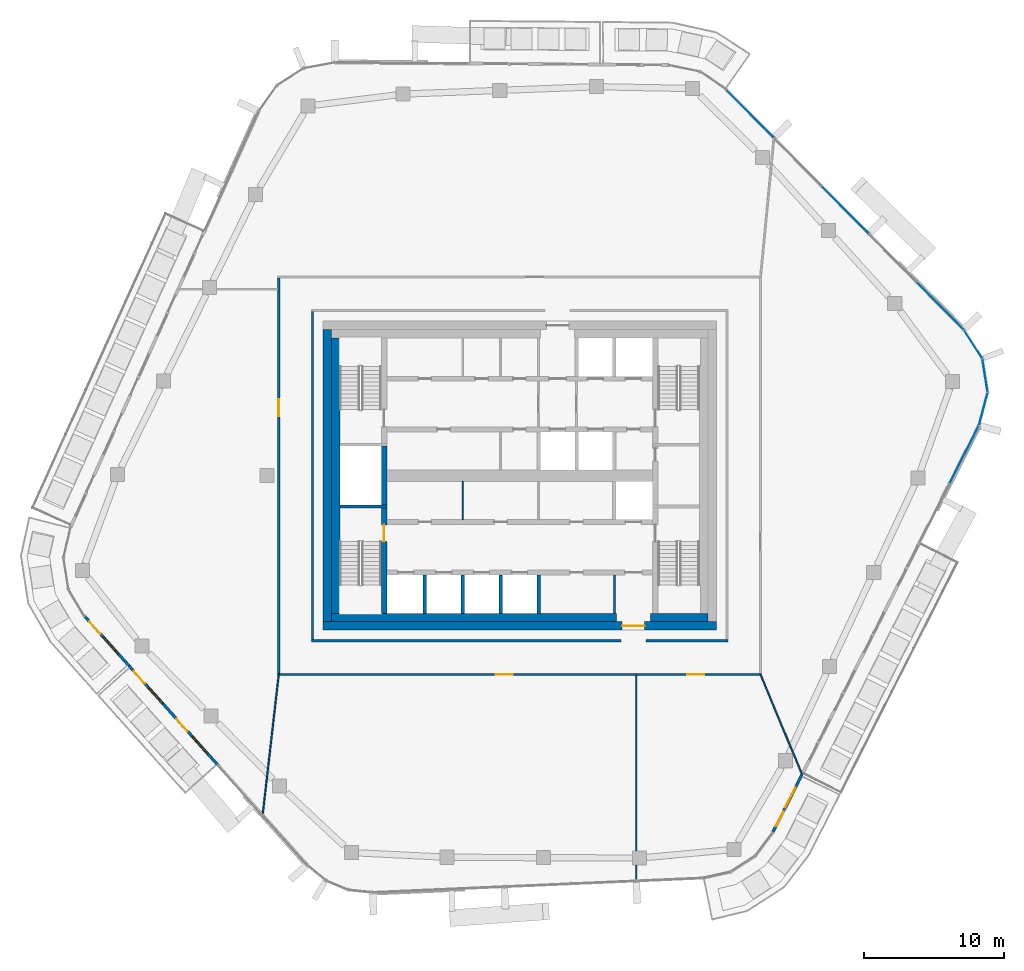
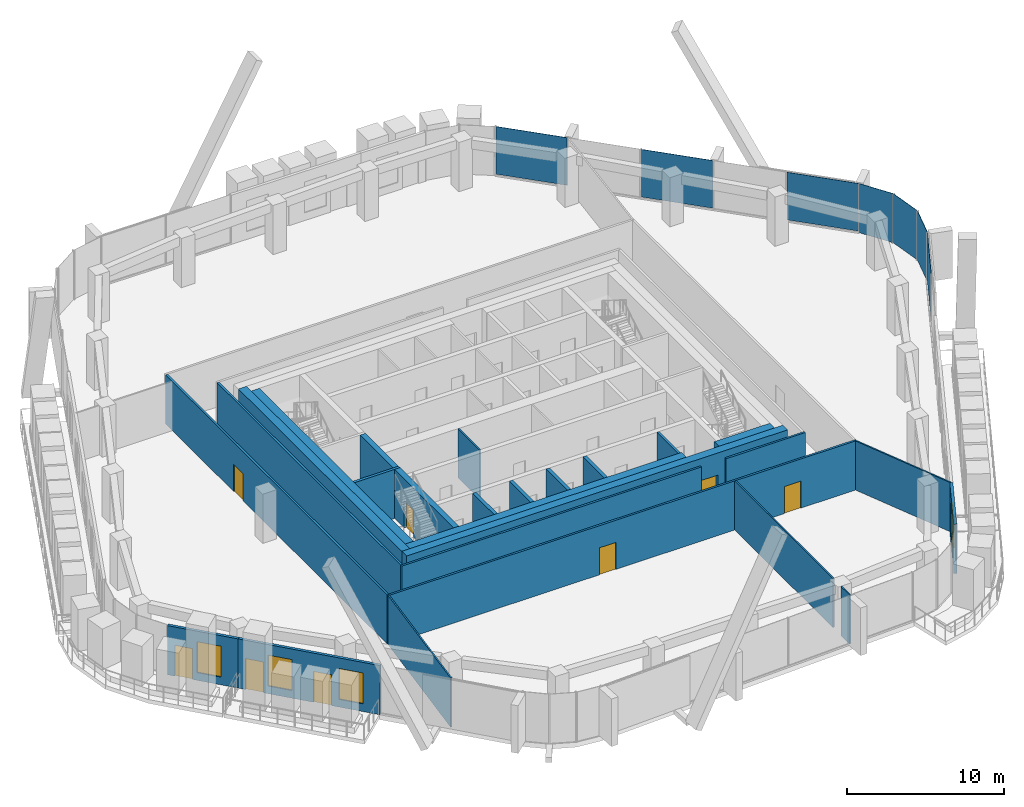
# One storey, part 12 of 23: 26 walls, 9 doors, 7 plates, 4 windows, 13 openings, 3 elements without a shape of their own.
"""IFC4 building model written with IfcOpenShell, lengths in metres."""

from ifc_helpers import new_model, si_unit, direction, frame, frame_2d, origin, origin_2d, place, context, subcontext, project, spatial, rectangle, extrude, material, layer, layer_set, type_object, element, fill, aggregate, save


model = new_model("IFC4")

# Units and contexts
model_context = context("Model", 3, precision=1e-05, world=origin(), true_north=direction((0.0, 1.0)))
body_context = subcontext(model_context, "Body", "Model", "MODEL_VIEW")
ifc_project = project(units=[si_unit("LENGTHUNIT", "METRE"), si_unit("AREAUNIT", "SQUARE_METRE"), si_unit("VOLUMEUNIT", "CUBIC_METRE"), si_unit("PLANEANGLEUNIT", "RADIAN"), si_unit("MASSUNIT", "GRAM", prefix="KILO")], contexts=[model_context])

# Site, building, storey
site_placement = place(None, origin())
site = spatial("IfcSite", under=ifc_project, at=site_placement, CompositionType="ELEMENT")
building_placement = place(site_placement, origin())
building = spatial("IfcBuilding", under=site, at=building_placement, Name="Dongbaek Canopy Tower", CompositionType="ELEMENT")
storey_placement = place(building_placement, frame((0.0, 0.0, 327.800048828125)))
storey = spatial("IfcBuildingStorey", under=building, at=storey_placement, Name="L70", CompositionType="ELEMENT", Elevation=327.800048828125)

# Curtain wall, plates
ifc_material_1 = material(Name="Aluminium 6063-T6 pale anodised", Category="aluminium")
ifc_layer_1 = layer(ifc_material_1, 0.199951171875)
ifc_layer_set_1 = layer_set([ifc_layer_1], Name="CW-1 unitised tower curtain wall")
curtain_wall_type = type_object("IfcCurtainWallType", Name="CW-1 unitised tower curtain wall", PredefinedType="NOTDEFINED", material=ifc_layer_set_1)
curtain_wall_1_placement = place(storey_placement, origin())
curtain_wall_1 = element("IfcCurtainWall", 1, at=curtain_wall_1_placement, inside=storey, type_object=curtain_wall_type, Name="CW-1 curtain wall K0.1", PredefinedType="NOTDEFINED")
ifc_material_2 = material(Name="Clear laminated glass", Category="glass")
ifc_layer_2 = layer(ifc_material_2, 0.028076171875)
ifc_layer_set_2 = layer_set([ifc_layer_2], Name="CW-1 glazed panel 28")
plate_type = type_object("IfcPlateType", Name="CW-1 glazed panel 28", PredefinedType="CURTAIN_PANEL", material=ifc_layer_set_2)
plate_1_placement = place(storey_placement, frame((33.002685546875, 4.7451171875, 0.0), z_axis=(0.0, 0.0, 1.0), x_axis=(0.257891541817, 0.966173872892, 0.0)))
plate_1 = element("IfcPlate", 2, at=plate_1_placement, type_object=plate_type, Name="CW-1 panel K0.1.1.1", PredefinedType="CURTAIN_PANEL", context=body_context, shape_type="SweptSolid", body=[
    extrude(rectangle(XDim=2.364013671875, YDim=0.028076171875, at=origin_2d()), origin(), (0.0, 0.0, 1.0), 3.820068359375),
])
plate_2_placement = place(storey_placement, frame((33.1298828125, 7.131591796875, 0.0), z_axis=(0.0, 0.0, 1.0), x_axis=(-0.154802153069, 0.98794549111, 0.0)))
plate_2 = element("IfcPlate", 3, at=plate_2_placement, type_object=plate_type, Name="CW-1 panel K0.1.2.1", PredefinedType="CURTAIN_PANEL", context=body_context, shape_type="SweptSolid", body=[
    extrude(rectangle(XDim=2.353271484375, YDim=0.028076171875, at=origin_2d()), origin(), (0.0, 0.0, 1.0), 3.820068359375),
])
plate_3_placement = place(storey_placement, frame((32.27880859375, 9.364990234375, 0.0), z_axis=(0.0, 0.0, 1.0), x_axis=(-0.54105717443, 0.840985810818, 0.0)))
plate_3 = element("IfcPlate", 4, at=plate_3_placement, type_object=plate_type, Name="CW-1 panel K0.1.3.1", PredefinedType="CURTAIN_PANEL", context=body_context, shape_type="SweptSolid", body=[
    extrude(rectangle(XDim=2.364013671875, YDim=0.028076171875, at=origin_2d()), origin(), (0.0, 0.0, 1.0), 3.820068359375),
])
aggregate(curtain_wall_1, [plate_1, plate_2, plate_3])

curtain_wall_2_placement = place(storey_placement, origin())
curtain_wall_2 = element("IfcCurtainWall", 5, at=curtain_wall_2_placement, inside=storey, type_object=curtain_wall_type, Name="CW-1 curtain wall F0.1", PredefinedType="NOTDEFINED")
plate_4_placement = place(storey_placement, frame((29.929931640625, 12.099853515625, 0.1201171875), z_axis=(0.0, 0.0, 1.0), x_axis=(-0.703156354287, 0.711035260325, 0.0)))
plate_4 = element("IfcPlate", 6, at=plate_4_placement, type_object=plate_type, Name="CW-1 panel F0.1.1.1", PredefinedType="CURTAIN_PANEL", context=body_context, shape_type="SweptSolid", body=[
    extrude(rectangle(XDim=4.713134765625, YDim=0.028076171875, at=origin_2d()), origin(), (0.0, 0.0, 1.0), 3.699951171875),
])
plate_5_placement = place(storey_placement, frame((23.172607421875, 18.93310546875, 0.1201171875), z_axis=(0.0, 0.0, 1.0), x_axis=(-0.703156354287, 0.711035260325, 0.0)))
plate_5 = element("IfcPlate", 7, at=plate_5_placement, type_object=plate_type, Name="CW-1 panel F0.1.3.1", PredefinedType="CURTAIN_PANEL", context=body_context, shape_type="SweptSolid", body=[
    extrude(rectangle(XDim=4.7236328125, YDim=0.028076171875, at=origin_2d()), origin(), (0.0, 0.0, 1.0), 3.699951171875),
])
plate_6_placement = place(storey_placement, frame((16.414794921875, 25.766357421875, 0.1201171875), z_axis=(0.0, 0.0, 1.0), x_axis=(-0.703156354287, 0.711035260325, 0.0)))
plate_6 = element("IfcPlate", 8, at=plate_6_placement, type_object=plate_type, Name="CW-1 panel F0.1.5.1", PredefinedType="CURTAIN_PANEL", context=body_context, shape_type="SweptSolid", body=[
    extrude(rectangle(XDim=4.7138671875, YDim=0.028076171875, at=origin_2d()), origin(), (0.0, 0.0, 1.0), 3.699951171875),
])
aggregate(curtain_wall_2, [plate_4, plate_5, plate_6])

# Curtain wall, plate
curtain_wall_3_placement = place(storey_placement, origin())
curtain_wall_3 = element("IfcCurtainWall", 9, at=curtain_wall_3_placement, inside=storey, type_object=curtain_wall_type, Name="CW-1 curtain wall F5.1", PredefinedType="NOTDEFINED")
plate_7_placement = place(storey_placement, frame((31.640380859375, 1.496337890625, 0.1201171875), z_axis=(0.0, 0.0, 1.0), x_axis=(0.451969985266, 0.892033145359, 0.0)))
plate_7 = element("IfcPlate", 10, at=plate_7_placement, type_object=plate_type, Name="CW-1 panel F5.1.2.1", PredefinedType="CURTAIN_PANEL", context=body_context, shape_type="SweptSolid", body=[
    extrude(rectangle(XDim=4.548095703125, YDim=0.028076171875, at=origin_2d()), origin(), (0.0, 0.0, 1.0), 3.699951171875),
])
aggregate(curtain_wall_3, [plate_7])

# Wall, opening, door
ifc_material_3 = material(Name="Concrete C80/95", Category="concrete")
ifc_layer_3 = layer(ifc_material_3, 0.60009765625)
ifc_layer_set_3 = layer_set([ifc_layer_3], Name="Core outer wall 600 Concrete C80/95")
wall_type_1 = type_object("IfcWallType", Name="Core outer wall 600 Concrete C80/95", PredefinedType="SHEAR", material=ifc_layer_set_3)
wall_1_placement = place(storey_placement, frame((14.0, -10.699951171875, 0.0), z_axis=(0.0, 0.0, 1.0), x_axis=(-1.0, 0.0, 0.0)))
wall_1 = element("IfcWall", 11, at=wall_1_placement, inside=storey, type_object=wall_type_1, Name="Core wall", PredefinedType="SHEAR", context=body_context, shape_type="SweptSolid", body=[
    extrude(rectangle(XDim=28.0, YDim=0.60009765625, at=frame_2d((14.0, 0.0))), origin(), (0.0, 0.0, 1.0), 3.820068359375),
])
opening_1_placement = place(wall_1_placement, frame((5.10009765625, 0.0, 0.0)))
opening_1 = element("IfcOpeningElement", 12, at=opening_1_placement, cuts=wall_1, Name="Opening L70-D019", PredefinedType="OPENING", context=body_context, shape_type="SweptSolid", body=[
    extrude(rectangle(XDim=1.60009765625, YDim=2.10009765625, at=frame_2d((0.800048828125, 1.050048828125))), frame((0.0, 0.31005859375, 0.0), z_axis=(0.0, -1.0, 0.0), x_axis=(1.0, 0.0, 0.0)), (0.0, 0.0, 1.0), 0.6201171875),
])
ifc_material_4 = material(Name="Steel", Category="steel")
door_type_1 = type_object("IfcDoorType", Name="Core exit door 1600 x 2100", OperationType="DOUBLE_DOOR_SINGLE_SWING", PredefinedType="DOOR", material=ifc_material_4)
door_1_placement = place(opening_1_placement, origin())
door_1 = element("IfcDoor", 13, at=door_1_placement, inside=storey, type_object=door_type_1, Name="Core exit door", OperationType="DOUBLE_DOOR_SINGLE_SWING", OverallHeight=2.10009765625, OverallWidth=1.60009765625, PredefinedType="DOOR", context=body_context, shape_type="SweptSolid", body=[
    extrude(rectangle(XDim=1.60009765625, YDim=2.10009765625, at=frame_2d((0.800048828125, 1.050048828125))), frame((0.0, 0.02490234375, 0.0), z_axis=(0.0, -1.0, 0.0), x_axis=(1.0, 0.0, 0.0)), (0.0, 0.0, 1.0), 0.050048828125),
])
fill(opening_1, door_1)

# Walls
wall_2_placement = place(storey_placement, frame((-13.699951171875, -10.39990234375, 0.0), z_axis=(0.0, 0.0, 1.0), x_axis=(0.0, 1.0, 0.0)))
element("IfcWall", 14, at=wall_2_placement, inside=storey, type_object=wall_type_1, Name="Core wall", PredefinedType="SHEAR", context=body_context, shape_type="SweptSolid", body=[
    extrude(rectangle(XDim=20.7998046875, YDim=0.60009765625, at=frame_2d((10.39990234375, 0.0))), origin(), (0.0, 0.0, 1.0), 3.820068359375),
])
ifc_material_5 = material(Name="Concrete C60/75", Category="concrete")
ifc_layer_4 = layer(ifc_material_5, 0.60009765625)
ifc_layer_set_4 = layer_set([ifc_layer_4], Name="Core wall lining 600 Concrete C60/75")
wall_type_2 = type_object("IfcWallType", Name="Core wall lining 600 Concrete C60/75", PredefinedType="SHEAR", material=ifc_layer_set_4)
wall_3_placement = place(storey_placement, frame((13.39990234375, -10.10009765625, 0.0), z_axis=(0.0, 0.0, 1.0), x_axis=(-1.0, 0.0, 0.0)))
element("IfcWall", 15, at=wall_3_placement, inside=storey, type_object=wall_type_2, Name="Core wall lining", PredefinedType="SHEAR", context=body_context, shape_type="SweptSolid", body=[
    extrude(rectangle(XDim=4.099853515625, YDim=0.60009765625, at=frame_2d((2.0498046875, 0.0))), origin(), (0.0, 0.0, 1.0), 3.820068359375),
])
wall_4_placement = place(storey_placement, frame((6.89990234375, -10.10009765625, 0.0), z_axis=(0.0, 0.0, 1.0), x_axis=(-1.0, 0.0, 0.0)))
element("IfcWall", 16, at=wall_4_placement, inside=storey, type_object=wall_type_2, Name="Core wall lining", PredefinedType="SHEAR", context=body_context, shape_type="SweptSolid", body=[
    extrude(rectangle(XDim=20.2998046875, YDim=0.60009765625, at=frame_2d((10.14990234375, 0.0))), origin(), (0.0, 0.0, 1.0), 3.820068359375),
])
wall_5_placement = place(storey_placement, frame((-13.10009765625, -9.800048828125, 0.0), z_axis=(0.0, 0.0, 1.0), x_axis=(0.0, 1.0, 0.0)))
element("IfcWall", 17, at=wall_5_placement, inside=storey, type_object=wall_type_2, Name="Core wall lining", PredefinedType="SHEAR", context=body_context, shape_type="SweptSolid", body=[
    extrude(rectangle(XDim=19.60009765625, YDim=0.60009765625, at=frame_2d((9.800048828125, 0.0))), origin(), (0.0, 0.0, 1.0), 3.820068359375),
])

# Wall, openings, doors
ifc_material_6 = material(Name="Gypsum board partition, steel stud, 2 x 15 mm fire board", Category="steel")
ifc_layer_5 = layer(ifc_material_6, 0.14990234375)
ifc_layer_set_5 = layer_set([ifc_layer_5], Name="Fire-rated partition 150 gypsum board")
wall_type_3 = type_object("IfcWallType", Name="Fire-rated partition 150 gypsum board", PredefinedType="PARTITIONING", material=ifc_layer_set_5)
wall_6_placement = place(storey_placement, frame((17.22509765625, -14.14990234375, 0.0), z_axis=(0.0, 0.0, 1.0), x_axis=(-1.0, 0.0, 0.0)))
wall_6 = element("IfcWall", 18, at=wall_6_placement, inside=storey, type_object=wall_type_3, Name="Corridor partition", PredefinedType="PARTITIONING", context=body_context, shape_type="SweptSolid", body=[
    extrude(rectangle(XDim=34.4501953125, YDim=0.14990234375, at=frame_2d((17.22509765625, 0.0))), origin(), (0.0, 0.0, 1.0), 3.820068359375),
])
opening_2_placement = place(wall_6_placement, frame((17.7109375, 0.0, 0.0)))
opening_2 = element("IfcOpeningElement", 19, at=opening_2_placement, cuts=wall_6, Name="Opening L70-D002", PredefinedType="OPENING", context=body_context, shape_type="SweptSolid", body=[
    extrude(rectangle(XDim=1.199951171875, YDim=2.10009765625, at=frame_2d((0.60009765625, 1.050048828125))), frame((0.0, 0.0849609375, 0.0), z_axis=(0.0, -1.0, 0.0), x_axis=(1.0, 0.0, 0.0)), (0.0, 0.0, 1.0), 0.169921875),
])
opening_3_placement = place(wall_6_placement, frame((4.094482421875, 0.0, 0.0)))
opening_3 = element("IfcOpeningElement", 20, at=opening_3_placement, cuts=wall_6, Name="Opening L70-D003", PredefinedType="OPENING", context=body_context, shape_type="SweptSolid", body=[
    extrude(rectangle(XDim=1.199951171875, YDim=2.10009765625, at=frame_2d((0.60009765625, 1.050048828125))), frame((0.0, 0.0849609375, 0.0), z_axis=(0.0, -1.0, 0.0), x_axis=(1.0, 0.0, 0.0)), (0.0, 0.0, 1.0), 0.169921875),
])
ifc_material_7 = material(Name="Timber veneered door leaf", Category="wood")
door_type_2 = type_object("IfcDoorType", Name="Room door 1200 x 2100", OperationType="SINGLE_SWING_LEFT", PredefinedType="DOOR", material=ifc_material_7)
door_2_placement = place(opening_2_placement, origin())
door_2 = element("IfcDoor", 21, at=door_2_placement, inside=storey, type_object=door_type_2, Name="Door L70-D002", OperationType="SINGLE_SWING_LEFT", OverallHeight=2.10009765625, OverallWidth=1.199951171875, PredefinedType="DOOR", context=body_context, shape_type="SweptSolid", body=[
    extrude(rectangle(XDim=1.199951171875, YDim=2.10009765625, at=frame_2d((0.60009765625, 1.050048828125))), frame((0.0, 0.02490234375, 0.0), z_axis=(0.0, -1.0, 0.0), x_axis=(1.0, 0.0, 0.0)), (0.0, 0.0, 1.0), 0.050048828125),
])
fill(opening_2, door_2)
door_3_placement = place(opening_3_placement, origin())
door_3 = element("IfcDoor", 22, at=door_3_placement, inside=storey, type_object=door_type_2, Name="Door L70-D003", OperationType="SINGLE_SWING_RIGHT", OverallHeight=2.10009765625, OverallWidth=1.199951171875, PredefinedType="DOOR", context=body_context, shape_type="SweptSolid", body=[
    extrude(rectangle(XDim=1.199951171875, YDim=2.10009765625, at=frame_2d((0.60009765625, 1.050048828125))), frame((0.0, 0.02490234375, 0.0), z_axis=(0.0, -1.0, 0.0), x_axis=(1.0, 0.0, 0.0)), (0.0, 0.0, 1.0), 0.050048828125),
])
fill(opening_3, door_3)

# Walls
wall_7_placement = place(storey_placement, frame((-14.824951171875, -11.75, 0.0), z_axis=(0.0, 0.0, 1.0), x_axis=(1.0, 0.0, 0.0)))
element("IfcWall", 23, at=wall_7_placement, inside=storey, type_object=wall_type_3, Name="Corridor partition", PredefinedType="PARTITIONING", context=body_context, shape_type="SweptSolid", body=[
    extrude(rectangle(XDim=22.02490234375, YDim=0.14990234375, at=frame_2d((11.012451171875, 0.0))), origin(), (0.0, 0.0, 1.0), 3.820068359375),
])
wall_8_placement = place(storey_placement, frame((9.0, -11.75, 0.0), z_axis=(0.0, 0.0, 1.0), x_axis=(1.0, 0.0, 0.0)))
element("IfcWall", 24, at=wall_8_placement, inside=storey, type_object=wall_type_3, Name="Corridor partition", PredefinedType="PARTITIONING", context=body_context, shape_type="SweptSolid", body=[
    extrude(rectangle(XDim=5.824951171875, YDim=0.14990234375, at=frame_2d((2.91259765625, 0.0))), origin(), (0.0, 0.0, 1.0), 3.820068359375),
])
wall_9_placement = place(storey_placement, frame((-14.75, -11.675048828125, 0.0), z_axis=(0.0, 0.0, 1.0), x_axis=(0.0, 1.0, 0.0)))
element("IfcWall", 25, at=wall_9_placement, inside=storey, type_object=wall_type_3, Name="Corridor partition", PredefinedType="PARTITIONING", context=body_context, shape_type="SweptSolid", body=[
    extrude(rectangle(XDim=23.35009765625, YDim=0.14990234375, at=frame_2d((11.675048828125, 0.0))), origin(), (0.0, 0.0, 1.0), 3.820068359375),
])

# Wall, opening, door
wall_10_placement = place(storey_placement, frame((-17.14990234375, -14.074951171875, 0.0), z_axis=(0.0, 0.0, 1.0), x_axis=(0.0, 1.0, 0.0)))
wall_10 = element("IfcWall", 26, at=wall_10_placement, inside=storey, type_object=wall_type_3, Name="Corridor partition", PredefinedType="PARTITIONING", context=body_context, shape_type="SweptSolid", body=[
    extrude(rectangle(XDim=28.14990234375, YDim=0.14990234375, at=frame_2d((14.074951171875, 0.0))), origin(), (0.0, 0.0, 1.0), 3.820068359375),
])
opening_4_placement = place(wall_10_placement, frame((18.2978515625, 0.0, 0.0)))
opening_4 = element("IfcOpeningElement", 27, at=opening_4_placement, cuts=wall_10, Name="Opening L70-D001", PredefinedType="OPENING", context=body_context, shape_type="SweptSolid", body=[
    extrude(rectangle(XDim=1.199951171875, YDim=2.10009765625, at=frame_2d((0.60009765625, 1.050048828125))), frame((0.0, 0.0849609375, 0.0), z_axis=(0.0, -1.0, 0.0), x_axis=(1.0, 0.0, 0.0)), (0.0, 0.0, 1.0), 0.169921875),
])
door_4_placement = place(opening_4_placement, origin())
door_4 = element("IfcDoor", 28, at=door_4_placement, inside=storey, type_object=door_type_2, Name="Door L70-D001", OperationType="SINGLE_SWING_RIGHT", OverallHeight=2.10009765625, OverallWidth=1.199951171875, PredefinedType="DOOR", context=body_context, shape_type="SweptSolid", body=[
    extrude(rectangle(XDim=1.199951171875, YDim=2.10009765625, at=frame_2d((0.60009765625, 1.050048828125))), frame((0.0, 0.02490234375, 0.0), z_axis=(0.0, -1.0, 0.0), x_axis=(1.0, 0.0, 0.0)), (0.0, 0.0, 1.0), 0.050048828125),
])
fill(opening_4, door_4)

# Walls
wall_11_placement = place(storey_placement, frame((6.75, -9.800048828125, 0.0), z_axis=(0.0, 0.0, 1.0), x_axis=(0.0, 1.0, 0.0)))
element("IfcWall", 29, at=wall_11_placement, inside=storey, type_object=wall_type_3, Name="Fire lobby partition", PredefinedType="PARTITIONING", context=body_context, shape_type="SweptSolid", body=[
    extrude(rectangle(XDim=2.72509765625, YDim=0.14990234375, at=frame_2d((1.362548828125, 0.0))), origin(), (0.0, 0.0, 1.0), 3.820068359375),
])
ifc_material_8 = material(Name="Concrete C40/50", Category="concrete")
ifc_layer_6 = layer(ifc_material_8, 0.25)
ifc_layer_set_6 = layer_set([ifc_layer_6], Name="Lift shaft wall 250 Concrete C40/50")
wall_type_4 = type_object("IfcWallType", Name="Lift shaft wall 250 Concrete C40/50", PredefinedType="SOLIDWALL", material=ifc_layer_set_6)
for number, where, z_axis, x_axis, name in (
    (30, (1.35009765625, -9.800048828125, 0.0), (0.0, 0.0, 1.0), (0.0, 1.0, 0.0), "Lift shaft wall"),
    (31, (-1.35009765625, -9.800048828125, 0.0), (0.0, 0.0, 1.0), (0.0, 1.0, 0.0), "Lift shaft wall"),
    (32, (-4.050048828125, -9.800048828125, 0.0), (0.0, 0.0, 1.0), (0.0, 1.0, 0.0), "Lift shaft wall"),
    (33, (-6.75, -9.800048828125, 0.0), (0.0, 0.0, 1.0), (0.0, 1.0, 0.0), "Lift shaft wall"),
):
    element("IfcWall", number, at=place(storey_placement, frame(where, z_axis=z_axis, x_axis=x_axis)), inside=storey, type_object=wall_type_4, Name=name, PredefinedType="SOLIDWALL", context=body_context, shape_type="SweptSolid", body=[
        extrude(rectangle(XDim=2.72509765625, YDim=0.25, at=frame_2d((1.362548828125, 0.0))), origin(), (0.0, 0.0, 1.0), 3.820068359375),
    ])
ifc_material_9 = material(Name="Gypsum board partition, steel stud, 2 x 12.5 mm board", Category="steel")
ifc_layer_7 = layer(ifc_material_9, 0.10009765625)
ifc_layer_set_7 = layer_set([ifc_layer_7], Name="Partition 100 gypsum board")
wall_type_5 = type_object("IfcWallType", Name="Partition 100 gypsum board", PredefinedType="PARTITIONING", material=ifc_layer_set_7)
wall_12_placement = place(storey_placement, frame((-18.295654296875, -24.140380859375, 0.0), z_axis=(0.0, 0.0, 1.0), x_axis=(0.11391359401, 0.993490660801, 0.0)))
element("IfcWall", 34, at=wall_12_placement, inside=storey, type_object=wall_type_5, Name="Partition", PredefinedType="PARTITIONING", context=body_context, shape_type="SweptSolid", body=[
    extrude(rectangle(XDim=10.055908203125, YDim=0.10009765625, at=frame_2d((5.02783203125, 0.0))), origin(), (0.0, 0.0, 1.0), 3.820068359375),
])
wall_13_placement = place(storey_placement, frame((8.302978515625, -28.82958984375, 0.0), z_axis=(0.0, 0.0, 1.0), x_axis=(0.0, 1.0, 0.0)))
element("IfcWall", 35, at=wall_13_placement, inside=storey, type_object=wall_type_5, Name="Partition", PredefinedType="PARTITIONING", context=body_context, shape_type="SweptSolid", body=[
    extrude(rectangle(XDim=1.1025390625, YDim=0.10009765625, at=frame_2d((0.55126953125, 0.0))), origin(), (0.0, 0.0, 1.0), 3.820068359375),
])
wall_14_placement = place(storey_placement, frame((8.302978515625, -26.72705078125, 0.0), z_axis=(0.0, 0.0, 1.0), x_axis=(0.0, 1.0, 0.0)))
element("IfcWall", 36, at=wall_14_placement, inside=storey, type_object=wall_type_5, Name="Partition", PredefinedType="PARTITIONING", context=body_context, shape_type="SweptSolid", body=[
    extrude(rectangle(XDim=12.501953125, YDim=0.10009765625, at=frame_2d((6.2509765625, 0.0))), origin(), (0.0, 0.0, 1.0), 3.820068359375),
])
wall_15_placement = place(storey_placement, frame((17.150390625, -14.14990234375, 0.0), z_axis=(0.0, 0.0, 1.0), x_axis=(0.382693080748, -0.923875535961, 0.0)))
element("IfcWall", 37, at=wall_15_placement, inside=storey, type_object=wall_type_5, Name="Partition", PredefinedType="PARTITIONING", context=body_context, shape_type="SweptSolid", body=[
    extrude(rectangle(XDim=7.686767578125, YDim=0.10009765625, at=frame_2d((3.84326171875, 0.0))), origin(), (0.0, 0.0, 1.0), 3.820068359375),
])
wall_16_placement = place(storey_placement, frame((-4.050048828125, -3.125, 0.0), z_axis=(0.0, 0.0, 1.0), x_axis=(0.0, 1.0, 0.0)))
element("IfcWall", 38, at=wall_16_placement, inside=storey, type_object=wall_type_5, Name="Core partition", PredefinedType="PARTITIONING", context=body_context, shape_type="SweptSolid", body=[
    extrude(rectangle(XDim=2.72509765625, YDim=0.10009765625, at=frame_2d((1.362548828125, 0.0))), origin(), (0.0, 0.0, 1.0), 3.820068359375),
])
ifc_material_10 = material(Name="Concrete C60/75", Category="concrete")
ifc_layer_8 = layer(ifc_material_10, 0.199951171875)
ifc_layer_set_8 = layer_set([ifc_layer_8], Name="Riser wall 200 Concrete C60/75")
wall_type_6 = type_object("IfcWallType", Name="Riser wall 200 Concrete C60/75", PredefinedType="SHEAR", material=ifc_layer_set_8)
wall_17_placement = place(storey_placement, frame((-9.449951171875, -2.199951171875, 0.0), z_axis=(0.0, 0.0, 1.0), x_axis=(-1.0, 0.0, 0.0)))
element("IfcWall", 39, at=wall_17_placement, inside=storey, type_object=wall_type_6, Name="Riser wall", PredefinedType="SHEAR", context=body_context, shape_type="SweptSolid", body=[
    extrude(rectangle(XDim=3.35009765625, YDim=0.199951171875, at=frame_2d((1.675048828125, 0.0))), origin(), (0.0, 0.0, 1.0), 3.820068359375),
])

# Wall, opening, door
ifc_material_11 = material(Name="Concrete C60/75", Category="concrete")
ifc_layer_9 = layer(ifc_material_11, 0.39990234375)
ifc_layer_set_9 = layer_set([ifc_layer_9], Name="Stair wall 400 Concrete C60/75")
wall_type_7 = type_object("IfcWallType", Name="Stair wall 400 Concrete C60/75", PredefinedType="SHEAR", material=ifc_layer_set_9)
wall_18_placement = place(storey_placement, frame((-9.64990234375, -9.800048828125, 0.0), z_axis=(0.0, 0.0, 1.0), x_axis=(0.0, 1.0, 0.0)))
wall_18 = element("IfcWall", 40, at=wall_18_placement, inside=storey, type_object=wall_type_7, Name="Stair wall", PredefinedType="SHEAR", context=body_context, shape_type="SweptSolid", body=[
    extrude(rectangle(XDim=7.5, YDim=0.39990234375, at=frame_2d((3.75, 0.0))), origin(), (0.0, 0.0, 1.0), 3.820068359375),
])
opening_5_placement = place(wall_18_placement, frame((5.10009765625, 0.0, 0.0)))
opening_5 = element("IfcOpeningElement", 41, at=opening_5_placement, cuts=wall_18, Name="Opening L70-D033", PredefinedType="OPENING", context=body_context, shape_type="SweptSolid", body=[
    extrude(rectangle(XDim=1.199951171875, YDim=2.10009765625, at=frame_2d((0.60009765625, 1.050048828125))), frame((0.0, 0.2099609375, 0.0), z_axis=(0.0, -1.0, 0.0), x_axis=(1.0, 0.0, 0.0)), (0.0, 0.0, 1.0), 0.419921875),
])
ifc_material_12 = material(Name="Steel", Category="steel")
door_type_3 = type_object("IfcDoorType", Name="Stair door 1200 x 2100", OperationType="SINGLE_SWING_LEFT", PredefinedType="DOOR", material=ifc_material_12)
door_5_placement = place(opening_5_placement, origin())
door_5 = element("IfcDoor", 42, at=door_5_placement, inside=storey, type_object=door_type_3, Name="Stair D door", OperationType="SINGLE_SWING_LEFT", OverallHeight=2.10009765625, OverallWidth=1.199951171875, PredefinedType="DOOR", context=body_context, shape_type="SweptSolid", body=[
    extrude(rectangle(XDim=1.199951171875, YDim=2.10009765625, at=frame_2d((0.60009765625, 1.050048828125))), frame((0.0, 0.02490234375, 0.0), z_axis=(0.0, -1.0, 0.0), x_axis=(1.0, 0.0, 0.0)), (0.0, 0.0, 1.0), 0.050048828125),
])
fill(opening_5, door_5)

# Wall
wall_19_placement = place(storey_placement, frame((-9.64990234375, -2.10009765625, 0.0), z_axis=(0.0, 0.0, 1.0), x_axis=(0.0, 1.0, 0.0)))
element("IfcWall", 43, at=wall_19_placement, inside=storey, type_object=wall_type_7, Name="Stair wall", PredefinedType="SHEAR", context=body_context, shape_type="SweptSolid", body=[
    extrude(rectangle(XDim=4.2001953125, YDim=0.39990234375, at=frame_2d((2.10009765625, 0.0))), origin(), (0.0, 0.0, 1.0), 3.820068359375),
])

# Wall, openings, doors, windows
ifc_material_13 = material(Name="Aluminium window wall", Category="aluminium")
ifc_layer_10 = layer(ifc_material_13, 0.199951171875)
ifc_layer_set_10 = layer_set([ifc_layer_10], Name="Window wall 200")
wall_type_8 = type_object("IfcWallType", Name="Window wall 200", PredefinedType="SOLIDWALL", material=ifc_layer_set_10)
wall_20_placement = place(storey_placement, frame((-27.807373046875, -13.5419921875, 0.0), z_axis=(0.0, 0.0, 1.0), x_axis=(0.666894702572, -0.745151968179, 0.0)))
wall_20 = element("IfcWall", 44, at=wall_20_placement, inside=storey, type_object=wall_type_8, Name="Window wall L70 3", PredefinedType="SOLIDWALL", context=body_context, shape_type="SweptSolid", body=[
    extrude(rectangle(XDim=9.505859375, YDim=0.199951171875, at=frame_2d((4.7529296875, 0.0))), origin(), (0.0, 0.0, 1.0), 3.820068359375),
])
opening_6_placement = place(wall_20_placement, frame((2.0, 0.0, 0.60009765625)))
opening_6 = element("IfcOpeningElement", 45, at=opening_6_placement, cuts=wall_20, Name="Opening W1", PredefinedType="OPENING", context=body_context, shape_type="SweptSolid", body=[
    extrude(rectangle(XDim=1.60009765625, YDim=2.39990234375, at=frame_2d((0.800048828125, 1.199951171875))), frame((0.0, 0.10986328125, 0.0), z_axis=(0.0, -1.0, 0.0), x_axis=(1.0, 0.0, 0.0)), (0.0, 0.0, 1.0), 0.219970703125),
])
opening_7_placement = place(wall_20_placement, frame((0.5, 0.0, 0.0)))
opening_7 = element("IfcOpeningElement", 46, at=opening_7_placement, cuts=wall_20, Name="Opening L70-B09", PredefinedType="OPENING", context=body_context, shape_type="SweptSolid", body=[
    extrude(rectangle(XDim=1.199951171875, YDim=2.39990234375, at=frame_2d((0.60009765625, 1.199951171875))), frame((0.0, 0.10986328125, 0.0), z_axis=(0.0, -1.0, 0.0), x_axis=(1.0, 0.0, 0.0)), (0.0, 0.0, 1.0), 0.219970703125),
])
opening_8_placement = place(wall_20_placement, frame((6.7529296875, 0.0, 0.60009765625)))
opening_8 = element("IfcOpeningElement", 47, at=opening_8_placement, cuts=wall_20, Name="Opening W1", PredefinedType="OPENING", context=body_context, shape_type="SweptSolid", body=[
    extrude(rectangle(XDim=1.60009765625, YDim=2.39990234375, at=frame_2d((0.800048828125, 1.199951171875))), frame((0.0, 0.10986328125, 0.0), z_axis=(0.0, -1.0, 0.0), x_axis=(1.0, 0.0, 0.0)), (0.0, 0.0, 1.0), 0.219970703125),
])
opening_9_placement = place(wall_20_placement, frame((5.052978515625, 0.0, 0.0)))
opening_9 = element("IfcOpeningElement", 48, at=opening_9_placement, cuts=wall_20, Name="Opening L70-B10", PredefinedType="OPENING", context=body_context, shape_type="SweptSolid", body=[
    extrude(rectangle(XDim=1.199951171875, YDim=2.39990234375, at=frame_2d((0.60009765625, 1.199951171875))), frame((0.0, 0.10986328125, 0.0), z_axis=(0.0, -1.0, 0.0), x_axis=(1.0, 0.0, 0.0)), (0.0, 0.0, 1.0), 0.219970703125),
])
ifc_material_14 = material(Name="Clear glazing in aluminium frame", Category="aluminium")
door_type_4 = type_object("IfcDoorType", Name="Balcony door BD1 1200 x 2400", OperationType="SLIDING_TO_LEFT", PredefinedType="DOOR", material=ifc_material_14)
door_6_placement = place(opening_7_placement, origin())
door_6 = element("IfcDoor", 49, at=door_6_placement, inside=storey, type_object=door_type_4, Name="Balcony door L70-B09", OperationType="SLIDING_TO_LEFT", OverallHeight=2.39990234375, OverallWidth=1.199951171875, PredefinedType="DOOR", context=body_context, shape_type="SweptSolid", body=[
    extrude(rectangle(XDim=1.199951171875, YDim=2.39990234375, at=frame_2d((0.60009765625, 1.199951171875))), frame((0.0, 0.02490234375, 0.0), z_axis=(0.0, -1.0, 0.0), x_axis=(1.0, 0.0, 0.0)), (0.0, 0.0, 1.0), 0.050048828125),
])
fill(opening_7, door_6)
door_7_placement = place(opening_9_placement, origin())
door_7 = element("IfcDoor", 50, at=door_7_placement, inside=storey, type_object=door_type_4, Name="Balcony door L70-B10", OperationType="SLIDING_TO_LEFT", OverallHeight=2.39990234375, OverallWidth=1.199951171875, PredefinedType="DOOR", context=body_context, shape_type="SweptSolid", body=[
    extrude(rectangle(XDim=1.199951171875, YDim=2.39990234375, at=frame_2d((0.60009765625, 1.199951171875))), frame((0.0, 0.02490234375, 0.0), z_axis=(0.0, -1.0, 0.0), x_axis=(1.0, 0.0, 0.0)), (0.0, 0.0, 1.0), 0.050048828125),
])
fill(opening_9, door_7)
ifc_material_15 = material(Name="Clear glazing in aluminium frame", Category="aluminium")
window_type = type_object("IfcWindowType", Name="Window W1 1600 x 2400", PartitioningType="SINGLE_PANEL", PredefinedType="WINDOW", material=ifc_material_15)
window_1_placement = place(opening_6_placement, origin())
window_1 = element("IfcWindow", 51, at=window_1_placement, inside=storey, type_object=window_type, Name="Window L70 3.1", OverallHeight=2.39990234375, OverallWidth=1.60009765625, PartitioningType="SINGLE_PANEL", PredefinedType="WINDOW", context=body_context, shape_type="SweptSolid", body=[
    extrude(rectangle(XDim=1.60009765625, YDim=2.39990234375, at=frame_2d((0.800048828125, 1.199951171875))), frame((0.0, 0.030029296875, 0.0), z_axis=(0.0, -1.0, 0.0), x_axis=(1.0, 0.0, 0.0)), (0.0, 0.0, 1.0), 0.06005859375),
])
fill(opening_6, window_1)
window_2_placement = place(opening_8_placement, origin())
window_2 = element("IfcWindow", 52, at=window_2_placement, inside=storey, type_object=window_type, Name="Window L70 3.2", OverallHeight=2.39990234375, OverallWidth=1.60009765625, PartitioningType="SINGLE_PANEL", PredefinedType="WINDOW", context=body_context, shape_type="SweptSolid", body=[
    extrude(rectangle(XDim=1.60009765625, YDim=2.39990234375, at=frame_2d((0.800048828125, 1.199951171875))), frame((0.0, 0.030029296875, 0.0), z_axis=(0.0, -1.0, 0.0), x_axis=(1.0, 0.0, 0.0)), (0.0, 0.0, 1.0), 0.06005859375),
])
fill(opening_8, window_2)

# Wall, openings, door, window
wall_21_placement = place(storey_placement, frame((-30.970458984375, -10.00732421875, 0.0), z_axis=(0.0, 0.0, 1.0), x_axis=(0.666852029375, -0.745190157556, 0.0)))
wall_21 = element("IfcWall", 53, at=wall_21_placement, inside=storey, type_object=wall_type_8, Name="Window wall L70 6", PredefinedType="SOLIDWALL", context=body_context, shape_type="SweptSolid", body=[
    extrude(rectangle(XDim=4.743408203125, YDim=0.199951171875, at=frame_2d((2.37158203125, 0.0))), origin(), (0.0, 0.0, 1.0), 3.820068359375),
])
opening_10_placement = place(wall_21_placement, frame((2.0, 0.0, 0.60009765625)))
opening_10 = element("IfcOpeningElement", 54, at=opening_10_placement, cuts=wall_21, Name="Opening W1", PredefinedType="OPENING", context=body_context, shape_type="SweptSolid", body=[
    extrude(rectangle(XDim=1.60009765625, YDim=2.39990234375, at=frame_2d((0.800048828125, 1.199951171875))), frame((0.0, 0.10986328125, 0.0), z_axis=(0.0, -1.0, 0.0), x_axis=(1.0, 0.0, 0.0)), (0.0, 0.0, 1.0), 0.219970703125),
])
opening_11_placement = place(wall_21_placement, frame((0.5, 0.0, 0.0)))
opening_11 = element("IfcOpeningElement", 55, at=opening_11_placement, cuts=wall_21, Name="Opening L70-B11", PredefinedType="OPENING", context=body_context, shape_type="SweptSolid", body=[
    extrude(rectangle(XDim=1.199951171875, YDim=2.39990234375, at=frame_2d((0.60009765625, 1.199951171875))), frame((0.0, 0.10986328125, 0.0), z_axis=(0.0, -1.0, 0.0), x_axis=(1.0, 0.0, 0.0)), (0.0, 0.0, 1.0), 0.219970703125),
])
door_8_placement = place(opening_11_placement, origin())
door_8 = element("IfcDoor", 56, at=door_8_placement, inside=storey, type_object=door_type_4, Name="Balcony door L70-B11", OperationType="SLIDING_TO_LEFT", OverallHeight=2.39990234375, OverallWidth=1.199951171875, PredefinedType="DOOR", context=body_context, shape_type="SweptSolid", body=[
    extrude(rectangle(XDim=1.199951171875, YDim=2.39990234375, at=frame_2d((0.60009765625, 1.199951171875))), frame((0.0, 0.02490234375, 0.0), z_axis=(0.0, -1.0, 0.0), x_axis=(1.0, 0.0, 0.0)), (0.0, 0.0, 1.0), 0.050048828125),
])
fill(opening_11, door_8)
window_3_placement = place(opening_10_placement, origin())
window_3 = element("IfcWindow", 57, at=window_3_placement, inside=storey, type_object=window_type, Name="Window L70 6.1", OverallHeight=2.39990234375, OverallWidth=1.60009765625, PartitioningType="SINGLE_PANEL", PredefinedType="WINDOW", context=body_context, shape_type="SweptSolid", body=[
    extrude(rectangle(XDim=1.60009765625, YDim=2.39990234375, at=frame_2d((0.800048828125, 1.199951171875))), frame((0.0, 0.030029296875, 0.0), z_axis=(0.0, -1.0, 0.0), x_axis=(1.0, 0.0, 0.0)), (0.0, 0.0, 1.0), 0.06005859375),
])
fill(opening_10, window_3)

wall_22_placement = place(storey_placement, frame((18.008056640625, -25.4091796875, 0.0), z_axis=(0.0, 0.0, 1.0), x_axis=(0.451970383378, 0.892032943646, 0.0)))
wall_22 = element("IfcWall", 58, at=wall_22_placement, inside=storey, type_object=wall_type_8, Name="Window wall L70 7", PredefinedType="SOLIDWALL", context=body_context, shape_type="SweptSolid", body=[
    extrude(rectangle(XDim=4.633544921875, YDim=0.199951171875, at=frame_2d((2.31689453125, 0.0))), origin(), (0.0, 0.0, 1.0), 3.820068359375),
])
opening_12_placement = place(wall_22_placement, frame((2.0, 0.0, 0.60009765625)))
opening_12 = element("IfcOpeningElement", 59, at=opening_12_placement, cuts=wall_22, Name="Opening W1", PredefinedType="OPENING", context=body_context, shape_type="SweptSolid", body=[
    extrude(rectangle(XDim=1.60009765625, YDim=2.39990234375, at=frame_2d((0.800048828125, 1.199951171875))), frame((0.0, 0.10986328125, 0.0), z_axis=(0.0, -1.0, 0.0), x_axis=(1.0, 0.0, 0.0)), (0.0, 0.0, 1.0), 0.219970703125),
])
opening_13_placement = place(wall_22_placement, frame((0.5, 0.0, 0.0)))
opening_13 = element("IfcOpeningElement", 60, at=opening_13_placement, cuts=wall_22, Name="Opening L70-B16", PredefinedType="OPENING", context=body_context, shape_type="SweptSolid", body=[
    extrude(rectangle(XDim=1.199951171875, YDim=2.39990234375, at=frame_2d((0.60009765625, 1.199951171875))), frame((0.0, 0.10986328125, 0.0), z_axis=(0.0, -1.0, 0.0), x_axis=(1.0, 0.0, 0.0)), (0.0, 0.0, 1.0), 0.219970703125),
])
door_9_placement = place(opening_13_placement, origin())
door_9 = element("IfcDoor", 61, at=door_9_placement, inside=storey, type_object=door_type_4, Name="Balcony door L70-B16", OperationType="SLIDING_TO_LEFT", OverallHeight=2.39990234375, OverallWidth=1.199951171875, PredefinedType="DOOR", context=body_context, shape_type="SweptSolid", body=[
    extrude(rectangle(XDim=1.199951171875, YDim=2.39990234375, at=frame_2d((0.60009765625, 1.199951171875))), frame((0.0, 0.02490234375, 0.0), z_axis=(0.0, -1.0, 0.0), x_axis=(1.0, 0.0, 0.0)), (0.0, 0.0, 1.0), 0.050048828125),
])
fill(opening_13, door_9)
window_4_placement = place(opening_12_placement, origin())
window_4 = element("IfcWindow", 62, at=window_4_placement, inside=storey, type_object=window_type, Name="Window L70 7.1", OverallHeight=2.39990234375, OverallWidth=1.60009765625, PartitioningType="SINGLE_PANEL", PredefinedType="WINDOW", context=body_context, shape_type="SweptSolid", body=[
    extrude(rectangle(XDim=1.60009765625, YDim=2.39990234375, at=frame_2d((0.800048828125, 1.199951171875))), frame((0.0, 0.030029296875, 0.0), z_axis=(0.0, -1.0, 0.0), x_axis=(1.0, 0.0, 0.0)), (0.0, 0.0, 1.0), 0.06005859375),
])
fill(opening_12, window_4)

save(model, "model.ifc")
